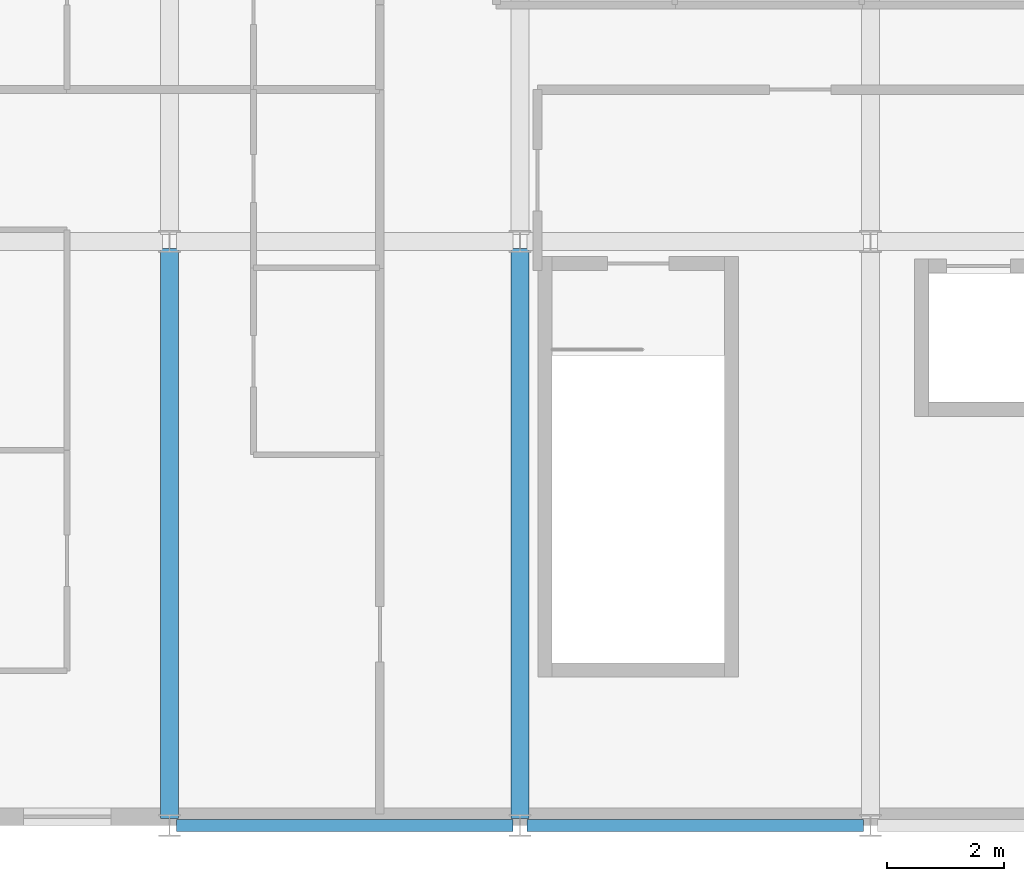
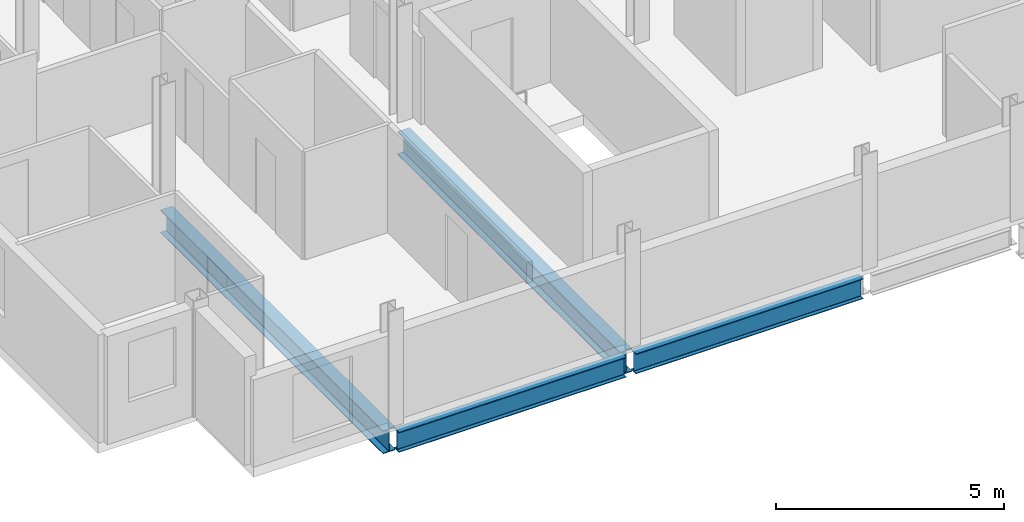
# One storey, part 3 of 35: 4 beams.
"""IFC4 building model written with IfcOpenShell, lengths in metres."""

from ifc_helpers import new_model, si_unit, direction, frame, origin, origin_2d, place, context, subcontext, project, spatial, i_section, extrude, material, material_profile, profile_set, type_object, element, save


model = new_model("IFC4")

# Units and contexts
model_context = context("Model", 3, precision=1e-05, world=origin(), true_north=direction((0.0, 1.0)))
body_context = subcontext(model_context, "Body", "Model", "MODEL_VIEW")
ifc_project = project(units=[si_unit("LENGTHUNIT", "METRE"), si_unit("AREAUNIT", "SQUARE_METRE"), si_unit("VOLUMEUNIT", "CUBIC_METRE"), si_unit("PLANEANGLEUNIT", "RADIAN"), si_unit("MASSUNIT", "GRAM", prefix="KILO")], contexts=[model_context])

# Site, building, storey
site_placement = place(None, origin())
site = spatial("IfcSite", under=ifc_project, at=site_placement, CompositionType="ELEMENT")
building_placement = place(site_placement, origin())
building = spatial("IfcBuilding", under=site, at=building_placement, Name="Brevholm Reach", CompositionType="ELEMENT")
storey_placement = place(building_placement, frame((0.0, 0.0, 218.0)))
storey = spatial("IfcBuildingStorey", under=building, at=storey_placement, Name="L66", CompositionType="ELEMENT", Elevation=218.0)

# Beams
ifc_material_1 = material(Name="Structural Steel S355J2", Category="steel")
ifc_material_profile_1 = material_profile(ifc_material_1, i_section(OverallWidth=0.210693359375, OverallDepth=0.53955078125, WebThickness=0.01171875, FlangeThickness=0.018798828125, FilletRadius=0.0126953125, at=origin_2d()), Name="UKB 533x210x109")
ifc_profile_set_1 = profile_set([ifc_material_profile_1], Name="Structural Steel S355J2")
beam_type_1 = type_object("IfcBeamType", Name="BM-SP539", PredefinedType="SPANDREL", material=ifc_profile_set_1)
for number, where, z_axis, x_axis, name in (
    (1, (6.1201171875, 0.0, -0.539794921875), (1.0, 0.0, 0.0), (0.0, 1.0, 0.0), "L66 SP-01B Framing Beam"),
    (2, (12.1201171875, 0.0, -0.539794921875), (1.0, 0.0, 0.0), (0.0, 1.0, 0.0), "L66 SP-01B Framing Beam"),
):
    element("IfcBeam", number, at=place(storey_placement, frame(where, z_axis=z_axis, x_axis=x_axis)), inside=storey, type_object=beam_type_1, Name=name, PredefinedType="SPANDREL", context=body_context, shape_type="SweptSolid", body=[
        extrude(i_section(OverallWidth=0.210693359375, OverallDepth=0.53955078125, WebThickness=0.01171875, FlangeThickness=0.018798828125, FilletRadius=0.0126953125, at=origin_2d()), origin(), (0.0, 0.0, 1.0), 5.759765625),
    ])
ifc_material_2 = material(Name="Structural Steel S355J2", Category="steel")
ifc_material_profile_2 = material_profile(ifc_material_2, i_section(OverallWidth=0.30712890625, OverallDepth=0.6201171875, WebThickness=0.01416015625, FlangeThickness=0.023681640625, FilletRadius=0.0166015625, at=origin_2d()), Name="UKB 610x305x179")
ifc_profile_set_2 = profile_set([ifc_material_profile_2], Name="Structural Steel S355J2")
beam_type_2 = type_object("IfcBeamType", Name="BM-UKB610H", PredefinedType="USERDEFINED", material=ifc_profile_set_2)
for number, where, z_axis, x_axis, name in (
    (3, (6.0, 0.1201171875, -0.580078125), (0.0, 1.0, 0.0), (-1.0, 0.0, 0.0), "L66 G-06 Framing Beam"),
    (4, (12.0, 0.1201171875, -0.580078125), (0.0, 1.0, 0.0), (-1.0, 0.0, 0.0), "L66 G-06 Framing Beam"),
):
    element("IfcBeam", number, at=place(storey_placement, frame(where, z_axis=z_axis, x_axis=x_axis)), inside=storey, type_object=beam_type_2, Name=name, ObjectType="GIRDER", PredefinedType="USERDEFINED", context=body_context, shape_type="SweptSolid", body=[
        extrude(i_section(OverallWidth=0.30712890625, OverallDepth=0.6201171875, WebThickness=0.01416015625, FlangeThickness=0.023681640625, FilletRadius=0.0166015625, at=origin_2d()), origin(), (0.0, 0.0, 1.0), 9.759765625),
    ])

save(model, "model.ifc")
